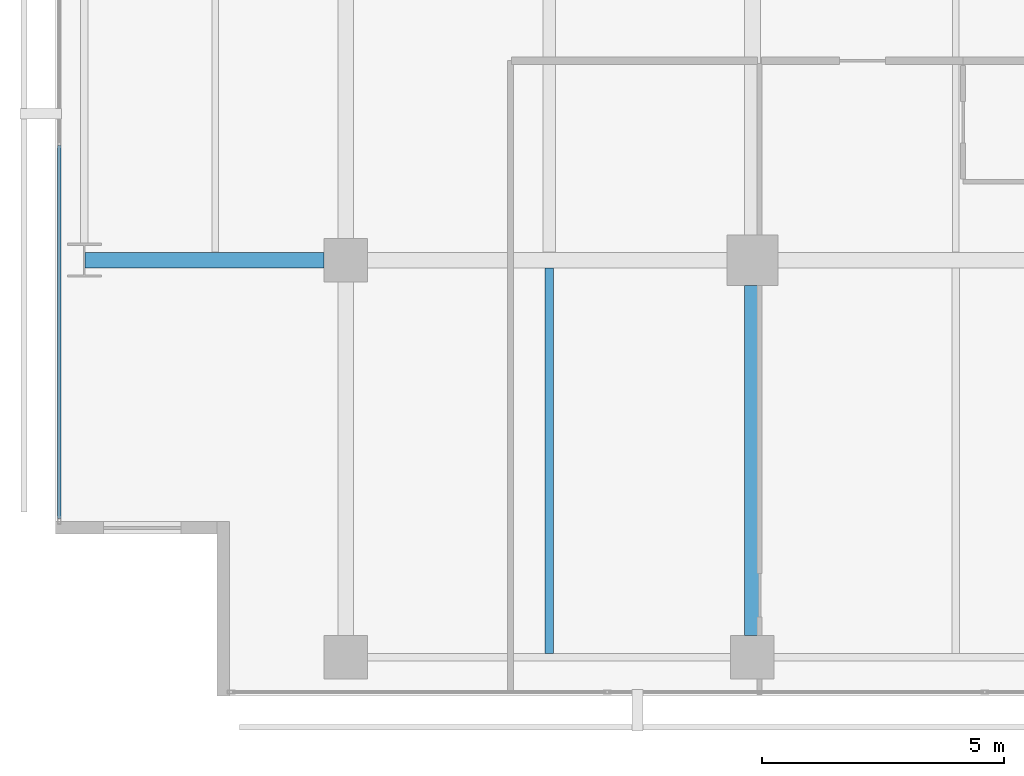
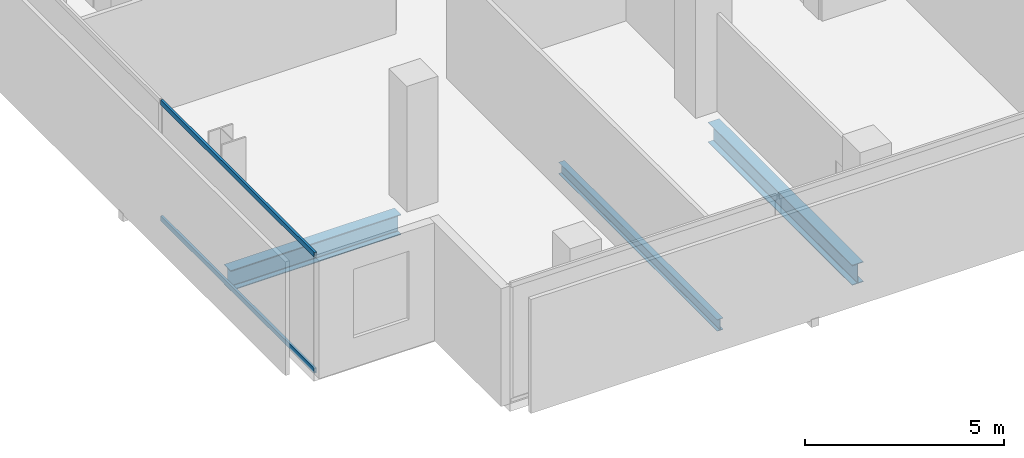
# One storey, part 4 of 40: 3 beams, 2 members, 1 element without a shape of its own.
"""IFC4 building model written with IfcOpenShell, lengths in metres."""

from ifc_helpers import new_model, si_unit, direction, frame, origin, origin_2d, place, context, subcontext, project, spatial, hollow_rectangle, i_section, extrude, material, layer, layer_set, material_profile, profile_set, type_object, element, aggregate, save


model = new_model("IFC4")

# Units and contexts
model_context = context("Model", 3, precision=1e-05, world=origin(), true_north=direction((0.0, 1.0)))
body_context = subcontext(model_context, "Body", "Model", "MODEL_VIEW")
ifc_project = project(units=[si_unit("LENGTHUNIT", "METRE"), si_unit("AREAUNIT", "SQUARE_METRE"), si_unit("VOLUMEUNIT", "CUBIC_METRE"), si_unit("PLANEANGLEUNIT", "RADIAN"), si_unit("MASSUNIT", "GRAM", prefix="KILO")], contexts=[model_context])

# Site, building, storey
site_placement = place(None, origin())
site = spatial("IfcSite", under=ifc_project, at=site_placement, CompositionType="ELEMENT")
building_placement = place(site_placement, origin())
building = spatial("IfcBuilding", under=site, at=building_placement, Name="Maruvema Waterfront Hotel and Observation Tower", CompositionType="ELEMENT")
storey_placement = place(building_placement, frame((0.0, 0.0, 73.14990234375)))
storey = spatial("IfcBuildingStorey", under=building, at=storey_placement, Name="L17", CompositionType="ELEMENT", Elevation=73.14990234375)

# Curtain wall, members
ifc_material_1 = material(Name="Anodised bronze aluminium and solar-control low-E IGU", Category="aluminium")
ifc_layer = layer(ifc_material_1, 0.159912109375, Name="Zone 1 Bronze Inner Thermal Curtain Wall System CW-02")
ifc_layer_set = layer_set([ifc_layer], Name="Anodised bronze aluminium and solar-control low-E IGU")
curtain_wall_type = type_object("IfcCurtainWallType", Name="Zone 1 Bronze Inner Thermal Curtain Wall System CW-02", PredefinedType="USERDEFINED", material=ifc_layer_set)
curtain_wall_placement = place(storey_placement, origin())
curtain_wall = element("IfcCurtainWall", 1, at=curtain_wall_placement, inside=storey, type_object=curtain_wall_type, Name="L17 Curtain Wall CW-L17-W", ObjectType="UNITISED CURTAIN WALL", PredefinedType="USERDEFINED")
ifc_material_2 = material(Name="Anodised architectural bronze aluminium", Category="aluminium")
ifc_material_profile_1 = material_profile(ifc_material_2, hollow_rectangle(XDim=0.070068359375, YDim=0.14990234375, WallThickness=0.00390625, at=origin_2d()), Name="ALU-T70x150")
ifc_profile_set_1 = profile_set([ifc_material_profile_1], Name="Anodised architectural bronze aluminium")
member_type = type_object("IfcMemberType", Name="Curtain Wall Horizontal Transom ALU-T70x150", PredefinedType="USERDEFINED", material=ifc_profile_set_1)
member_1_placement = place(storey_placement, frame((10.8798828125, 11.3701171875, 0.030029296875), z_axis=(0.0, -1.0, 0.0), x_axis=(1.0, 0.0, 0.0)))
member_1 = element("IfcMember", 2, at=member_1_placement, type_object=member_type, Name="CW-02 transom 6.1", ObjectType="TRANSOM", PredefinedType="USERDEFINED", context=body_context, shape_type="SweptSolid", body=[
    extrude(hollow_rectangle(XDim=0.070068359375, YDim=0.14990234375, WallThickness=0.00390625, at=origin_2d()), origin(), (0.0, 0.0, 1.0), 7.710205078125),
])
member_2_placement = place(storey_placement, frame((10.8798828125, 11.3701171875, 3.580078125), z_axis=(0.0, -1.0, 0.0), x_axis=(1.0, 0.0, 0.0)))
member_2 = element("IfcMember", 3, at=member_2_placement, type_object=member_type, Name="CW-02 transom 6.2", ObjectType="TRANSOM", PredefinedType="USERDEFINED", context=body_context, shape_type="SweptSolid", body=[
    extrude(hollow_rectangle(XDim=0.070068359375, YDim=0.14990234375, WallThickness=0.00390625, at=origin_2d()), origin(), (0.0, 0.0, 1.0), 7.710205078125),
])
aggregate(curtain_wall, [member_1, member_2])

# Beams
ifc_material_3 = material(Name="Steel ASTM A572 Grade 50", Category="steel")
ifc_material_profile_2 = material_profile(ifc_material_3, i_section(OverallWidth=0.326904296875, OverallDepth=0.6220703125, WebThickness=0.015380859375, FlangeThickness=0.0244140625, FilletRadius=0.01806640625, at=origin_2d()), Name="W610x195.0")
ifc_profile_set_2 = profile_set([ifc_material_profile_2], Name="Steel ASTM A572 Grade 50")
beam_type_1 = type_object("IfcBeamType", Name="Primary Floor Girder W610x195.0", PredefinedType="BEAM", material=ifc_profile_set_2)
beam_1_placement = place(storey_placement, frame((11.4140625, 9.0, -0.55078125), z_axis=(1.0, 0.0, 0.0), x_axis=(0.0, 1.0, 0.0)))
element("IfcBeam", 4, at=beam_1_placement, inside=storey, type_object=beam_type_1, Name="L17 Floor Girder EW-06", PredefinedType="BEAM", context=body_context, shape_type="SweptSolid", body=[
    extrude(i_section(OverallWidth=0.326904296875, OverallDepth=0.6220703125, WebThickness=0.015380859375, FlangeThickness=0.0244140625, FilletRadius=0.01806640625, at=origin_2d()), origin(), (0.0, 0.0, 1.0), 4.93603515625),
])
beam_2_placement = place(storey_placement, frame((25.199951171875, 1.25, -0.55078125), z_axis=(0.0, 1.0, 0.0), x_axis=(-1.0, 0.0, 0.0)))
element("IfcBeam", 5, at=beam_2_placement, inside=storey, type_object=beam_type_1, Name="L17 Floor Girder NS-11", PredefinedType="BEAM", context=body_context, shape_type="SweptSolid", body=[
    extrude(i_section(OverallWidth=0.326904296875, OverallDepth=0.6220703125, WebThickness=0.015380859375, FlangeThickness=0.0244140625, FilletRadius=0.01806640625, at=origin_2d()), origin(), (0.0, 0.0, 1.0), 7.22509765625),
])
ifc_material_4 = material(Name="Steel ASTM A572 Grade 50", Category="steel")
ifc_material_profile_3 = material_profile(ifc_material_4, i_section(OverallWidth=0.1708984375, OverallDepth=0.35498046875, WebThickness=0.007080078125, FlangeThickness=0.01171875, FilletRadius=0.014892578125, at=origin_2d()), Name="W360x51.0")
ifc_profile_set_3 = profile_set([ifc_material_profile_3], Name="Steel ASTM A572 Grade 50")
beam_type_2 = type_object("IfcBeamType", Name="Secondary Floor Joist W360x51.0", PredefinedType="JOIST", material=ifc_profile_set_3)
beam_3_placement = place(storey_placement, frame((21.0, 0.87646484375, -0.41748046875), z_axis=(0.0, 1.0, 0.0), x_axis=(-1.0, 0.0, 0.0)))
element("IfcBeam", 6, at=beam_3_placement, inside=storey, type_object=beam_type_2, Name="L17 Secondary Floor Joist JS-05", PredefinedType="JOIST", context=body_context, shape_type="SweptSolid", body=[
    extrude(i_section(OverallWidth=0.1708984375, OverallDepth=0.35498046875, WebThickness=0.007080078125, FlangeThickness=0.01171875, FilletRadius=0.014892578125, at=origin_2d()), origin(), (0.0, 0.0, 1.0), 7.9599609375),
])

save(model, "model.ifc")
